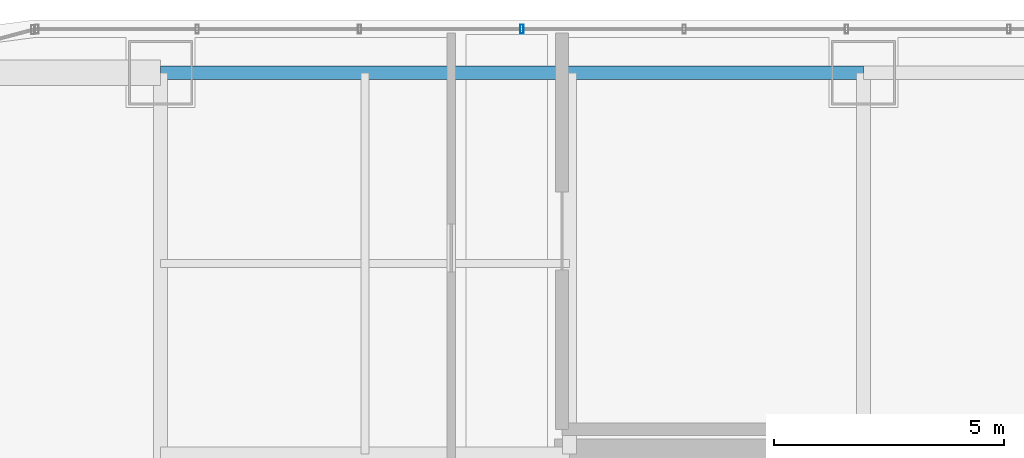
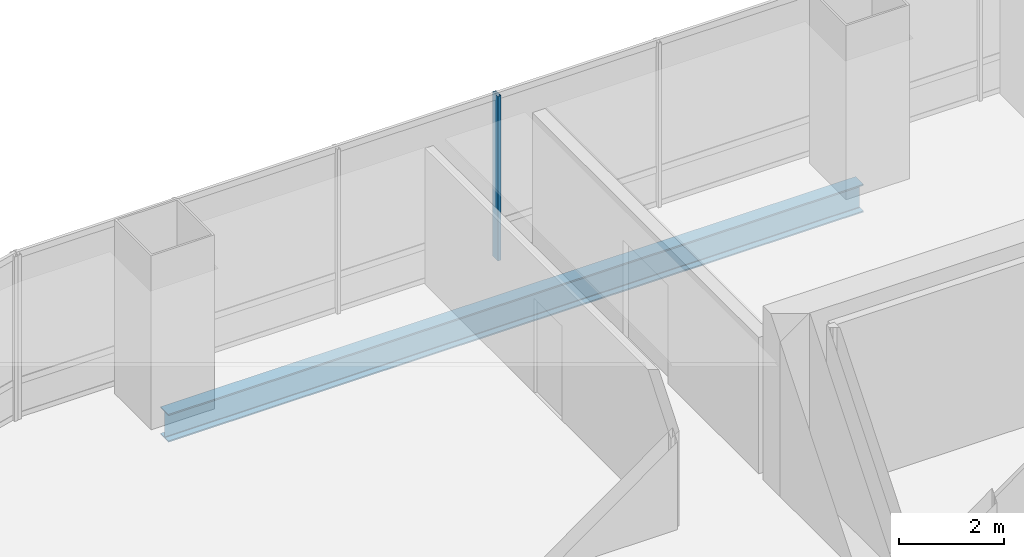
# One storey, part 21 of 36: 1 beam, 1 member, 1 element without a shape of its own.
"""IFC4 building model written with IfcOpenShell, lengths in metres."""

from ifc_helpers import new_model, si_unit, direction, frame, origin, origin_2d, place, context, subcontext, project, spatial, hollow_rectangle, i_section, extrude, material, material_profile, profile_set, type_object, element, aggregate, save


model = new_model("IFC4")

# Units and contexts
model_context = context("Model", 3, precision=1e-05, world=origin(), true_north=direction((0.0, 1.0)))
body_context = subcontext(model_context, "Body", "Model", "MODEL_VIEW")
ifc_project = project(units=[si_unit("LENGTHUNIT", "METRE"), si_unit("AREAUNIT", "SQUARE_METRE"), si_unit("VOLUMEUNIT", "CUBIC_METRE"), si_unit("PLANEANGLEUNIT", "RADIAN"), si_unit("MASSUNIT", "GRAM", prefix="KILO")], contexts=[model_context])

# Site, building, storey
site_placement = place(None, origin())
site = spatial("IfcSite", under=ifc_project, at=site_placement, CompositionType="ELEMENT")
building_placement = place(site_placement, origin())
building = spatial("IfcBuilding", under=site, at=building_placement, Name="Punatoya Terracotta Tower", CompositionType="ELEMENT")
storey_placement = place(building_placement, frame((0.0, 0.0, 180.300048828125)))
storey = spatial("IfcBuildingStorey", under=building, at=storey_placement, Name="L42", CompositionType="ELEMENT", Elevation=180.300048828125)

# Beam
ifc_material_1 = material(Name="Steel S355", Category="steel")
ifc_material_profile_1 = material_profile(ifc_material_1, i_section(OverallWidth=0.300048828125, OverallDepth=0.64990234375, WebThickness=0.01611328125, FlangeThickness=0.031005859375, FilletRadius=0.01806640625, at=origin_2d()))
ifc_profile_set_1 = profile_set([ifc_material_profile_1], Name="Steel S355")
beam_type = type_object("IfcBeamType", Name="BM-PRI-650", PredefinedType="BEAM", material=ifc_profile_set_1)
beam_placement = place(storey_placement, frame((-19.10009765625, 17.5, -0.545166015625), z_axis=(1.0, 0.0, 0.0), x_axis=(0.0, 1.0, 0.0)))
element("IfcBeam", 1, at=beam_placement, inside=storey, type_object=beam_type, Name="BM-L42-RG-N1", PredefinedType="BEAM", context=body_context, shape_type="SweptSolid", body=[
    extrude(i_section(OverallWidth=0.300048828125, OverallDepth=0.64990234375, WebThickness=0.01611328125, FlangeThickness=0.031005859375, FilletRadius=0.01806640625, at=origin_2d()), origin(), (0.0, 0.0, 1.0), 15.300048828125),
])

# Curtain wall, member
ifc_material_2 = material(Name="Aluminium 6063-T6 + Double Low-E Glass", Category="aluminium")
curtain_wall_type = type_object("IfcCurtainWallType", Name="CW-M2", PredefinedType="NOTDEFINED", material=ifc_material_2)
curtain_wall_placement = place(storey_placement, origin())
curtain_wall = element("IfcCurtainWall", 2, at=curtain_wall_placement, inside=storey, type_object=curtain_wall_type, Name="L42 Curtain Wall CW-L42-N09-1", PredefinedType="NOTDEFINED")
ifc_material_3 = material(Name="Aluminium 6063-T6", Category="aluminium")
ifc_material_profile_2 = material_profile(ifc_material_3, hollow_rectangle(XDim=0.072021484375, YDim=0.195068359375, WallThickness=0.00439453125, at=origin_2d()))
ifc_profile_set_2 = profile_set([ifc_material_profile_2], Name="Aluminium 6063-T6")
member_type = type_object("IfcMemberType", Name="CW-MUL-M2", PredefinedType="MULLION", material=ifc_profile_set_2)
member_placement = place(storey_placement, frame((-11.235107421875, 18.449951171875, 0.0), z_axis=(0.0, 0.0, 1.0), x_axis=(1.0, 0.0, 0.0)))
member = element("IfcMember", 3, at=member_placement, type_object=member_type, Name="CW-L42-N09-1 Mullion 08", PredefinedType="MULLION", context=body_context, shape_type="SweptSolid", body=[
    extrude(hollow_rectangle(XDim=0.072021484375, YDim=0.195068359375, WallThickness=0.00439453125, at=origin_2d()), origin(), (0.0, 0.0, 1.0), 3.829833984375),
])
aggregate(curtain_wall, [member])

save(model, "model.ifc")
